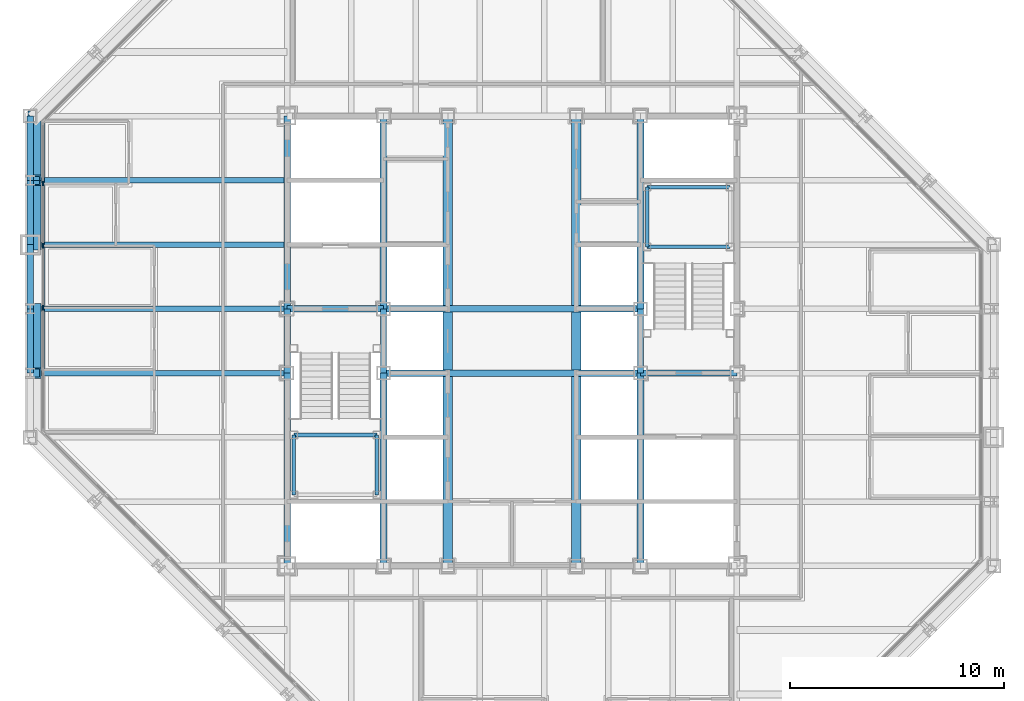
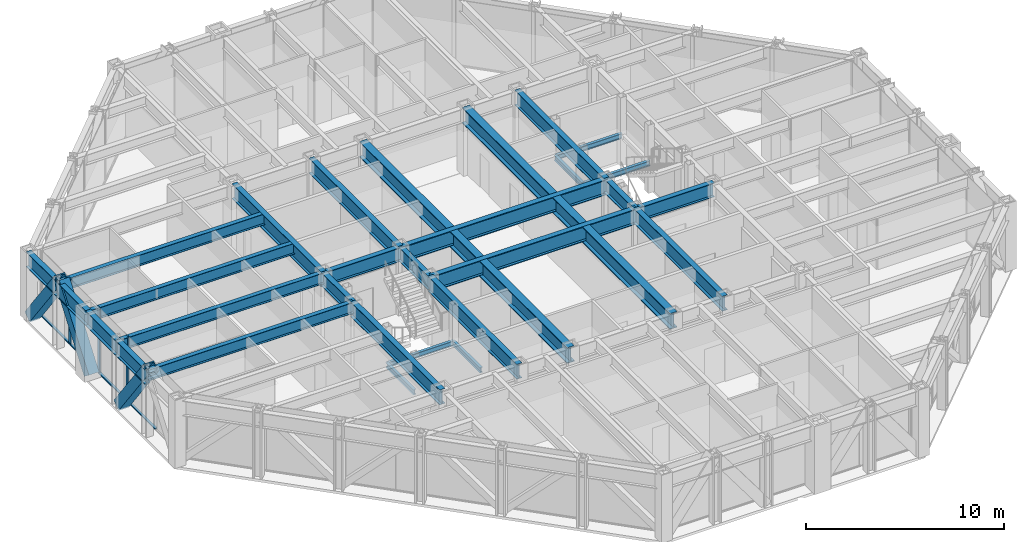
# One storey, part 5 of 15: 33 beams, 10 members, 1 element without a shape of its own.
"""IFC4 building model written with IfcOpenShell, lengths in metres."""

from ifc_helpers import new_model, si_unit, direction, frame, origin, origin_2d, place, context, subcontext, project, spatial, rectangle, hollow_rectangle, i_section, extrude, material, layer, layer_set, material_profile, profile_set, type_object, element, aggregate, save


model = new_model("IFC4")

# Units and contexts
model_context = context("Model", 3, precision=1e-05, world=origin(), true_north=direction((0.0, 1.0)))
body_context = subcontext(model_context, "Body", "Model", "MODEL_VIEW")
ifc_project = project(units=[si_unit("LENGTHUNIT", "METRE"), si_unit("AREAUNIT", "SQUARE_METRE"), si_unit("VOLUMEUNIT", "CUBIC_METRE"), si_unit("PLANEANGLEUNIT", "RADIAN"), si_unit("MASSUNIT", "GRAM", prefix="KILO")], contexts=[model_context])

# Site, building, storey
site_placement = place(None, origin())
site = spatial("IfcSite", under=ifc_project, at=site_placement, CompositionType="ELEMENT")
building_placement = place(site_placement, origin())
building = spatial("IfcBuilding", under=site, at=building_placement, Name="Chuquiago Exchange Tower", CompositionType="ELEMENT")
storey_placement = place(building_placement, frame((0.0, 0.0, 197.10009765625)))
storey = spatial("IfcBuildingStorey", under=building, at=storey_placement, Name="L43", CompositionType="ELEMENT", Elevation=197.10009765625)

# Beams
ifc_material_1 = material(Name="Steel ASTM A992", Category="steel")
ifc_material_profile_1 = material_profile(ifc_material_1, i_section(OverallWidth=0.25390625, OverallDepth=0.683349609375, WebThickness=0.012451171875, FlangeThickness=0.018798828125, at=origin_2d()), Name="W27X94")
ifc_profile_set_1 = profile_set([ifc_material_profile_1], Name="Steel ASTM A992")
beam_type_1 = type_object("IfcBeamType", Name="B1 W27X94", PredefinedType="BEAM", material=ifc_profile_set_1)
for number, where, z_axis, x_axis, name in (
    (1, (12.0, 21.0, 3.6982421875), (-1.0, 0.0, 0.0), (0.0, -1.0, 0.0), "FB-L44-infill-12_21--0_21-0"),
    (2, (12.0, 24.0, 3.6982421875), (-1.0, 0.0, 0.0), (0.0, -1.0, 0.0), "FB-L44-infill-12_24--0_24-0"),
    (3, (12.0, 27.0, 3.6982421875), (-1.0, 0.0, 0.0), (0.0, -1.0, 0.0), "FB-L44-infill-12_27--0_27-0"),
    (4, (12.0, 30.0, 3.6982421875), (-1.0, 0.0, 0.0), (0.0, -1.0, 0.0), "FB-L44-infill-12_30--0_30-0"),
):
    element("IfcBeam", number, at=place(storey_placement, frame(where, z_axis=z_axis, x_axis=x_axis)), inside=storey, type_object=beam_type_1, Name=name, PredefinedType="BEAM", context=body_context, shape_type="SweptSolid", body=[
        extrude(i_section(OverallWidth=0.25390625, OverallDepth=0.683349609375, WebThickness=0.012451171875, FlangeThickness=0.018798828125, at=origin_2d()), origin(), (0.0, 0.0, 1.0), 12.0),
    ])
ifc_material_2 = material(Name="Steel ASTM A992", Category="steel")
ifc_material_profile_2 = material_profile(ifc_material_2, i_section(OverallWidth=0.307373046875, OverallDepth=0.927001953125, WebThickness=0.01953125, FlangeThickness=0.031982421875, at=origin_2d()), Name="W36X194")
ifc_profile_set_2 = profile_set([ifc_material_profile_2], Name="Steel ASTM A992")
beam_type_2 = type_object("IfcBeamType", Name="B10 W36X194", PredefinedType="BEAM", material=ifc_profile_set_2)
for number, where, z_axis, x_axis, name in (
    (5, (12.0, 12.0, 3.576416015625), (0.0, 1.0, 0.0), (-1.0, 0.0, 0.0), "CB-L44-12_12-12_21"),
    (6, (12.0, 24.0, 3.576416015625), (0.0, 1.0, 0.0), (-1.0, 0.0, 0.0), "CB-L44-12_24-12_33"),
    (7, (16.5, 12.0, 3.576416015625), (0.0, 1.0, 0.0), (-1.0, 0.0, 0.0), "CB-L44-16.5_12-16.5_21"),
    (8, (16.5, 24.0, 3.576416015625), (0.0, 1.0, 0.0), (-1.0, 0.0, 0.0), "CB-L44-16.5_24-16.5_33"),
    (9, (28.5, 12.0, 3.576416015625), (0.0, 1.0, 0.0), (-1.0, 0.0, 0.0), "CB-L44-28.5_12-28.5_21"),
    (10, (28.5, 24.0, 3.576416015625), (0.0, 1.0, 0.0), (-1.0, 0.0, 0.0), "CB-L44-28.5_24-28.5_33"),
):
    element("IfcBeam", number, at=place(storey_placement, frame(where, z_axis=z_axis, x_axis=x_axis)), inside=storey, type_object=beam_type_2, Name=name, PredefinedType="BEAM", context=body_context, shape_type="SweptSolid", body=[
        extrude(i_section(OverallWidth=0.307373046875, OverallDepth=0.927001953125, WebThickness=0.01953125, FlangeThickness=0.031982421875, at=origin_2d()), origin(), (0.0, 0.0, 1.0), 9.0),
    ])
ifc_material_3 = material(Name="Steel ASTM A992", Category="steel")
ifc_material_profile_3 = material_profile(ifc_material_3, i_section(OverallWidth=0.309814453125, OverallDepth=0.949951171875, WebThickness=0.0244140625, FlangeThickness=0.0439453125, at=origin_2d()), Name="W36X256")
ifc_profile_set_3 = profile_set([ifc_material_profile_3], Name="Steel ASTM A992")
beam_type_3 = type_object("IfcBeamType", Name="B11 W36X256", PredefinedType="BEAM", material=ifc_profile_set_3)
for number, where, z_axis, x_axis, name in (
    (11, (16.5, 21.0, 3.56494140625), (1.0, 0.0, 0.0), (0.0, 1.0, 0.0), "CB-L44-16.5_21-28.5_21"),
    (12, (16.5, 24.0, 3.56494140625), (1.0, 0.0, 0.0), (0.0, 1.0, 0.0), "CB-L44-16.5_24-28.5_24"),
):
    element("IfcBeam", number, at=place(storey_placement, frame(where, z_axis=z_axis, x_axis=x_axis)), inside=storey, type_object=beam_type_3, Name=name, PredefinedType="BEAM", context=body_context, shape_type="SweptSolid", body=[
        extrude(i_section(OverallWidth=0.309814453125, OverallDepth=0.949951171875, WebThickness=0.0244140625, FlangeThickness=0.0439453125, at=origin_2d()), origin(), (0.0, 0.0, 1.0), 12.0),
    ])
ifc_material_4 = material(Name="Steel ASTM A992", Category="steel")
ifc_material_profile_4 = material_profile(ifc_material_4, i_section(OverallWidth=0.4267578125, OverallDepth=0.975341796875, WebThickness=0.031005859375, FlangeThickness=0.055908203125, at=origin_2d()), Name="W36X395")
ifc_profile_set_4 = profile_set([ifc_material_profile_4], Name="Steel ASTM A992")
beam_type_4 = type_object("IfcBeamType", Name="B12 W36X395", PredefinedType="BEAM", material=ifc_profile_set_4)
beam_1_placement = place(storey_placement, frame((19.5, 12.0, 3.55224609375), z_axis=(0.0, 1.0, 0.0), x_axis=(-1.0, 0.0, 0.0)))
element("IfcBeam", 13, at=beam_1_placement, inside=storey, type_object=beam_type_4, Name="CB-L44-19.5_12-19.5_20.8451", PredefinedType="BEAM", context=body_context, shape_type="SweptSolid", body=[
    extrude(i_section(OverallWidth=0.4267578125, OverallDepth=0.975341796875, WebThickness=0.031005859375, FlangeThickness=0.055908203125, at=origin_2d()), origin(), (0.0, 0.0, 1.0), 8.84521484375),
])
beam_2_placement = place(storey_placement, frame((19.5, 21.15478515625, 3.55224609375), z_axis=(0.0, 1.0, 0.0), x_axis=(-1.0, 0.0, 0.0)))
element("IfcBeam", 14, at=beam_2_placement, inside=storey, type_object=beam_type_4, Name="CB-L44-19.5_21.1549-19.5_23.8451", PredefinedType="BEAM", context=body_context, shape_type="SweptSolid", body=[
    extrude(i_section(OverallWidth=0.4267578125, OverallDepth=0.975341796875, WebThickness=0.031005859375, FlangeThickness=0.055908203125, at=origin_2d()), origin(), (0.0, 0.0, 1.0), 2.6904296875),
])
for number, where, z_axis, x_axis, name in (
    (15, (19.5, 24.15478515625, 3.55224609375), (0.0, 1.0, 0.0), (-1.0, 0.0, 0.0), "CB-L44-19.5_24.1549-19.5_33"),
    (16, (25.5, 12.0, 3.55224609375), (0.0, 1.0, 0.0), (-1.0, 0.0, 0.0), "CB-L44-25.5_12-25.5_20.8451"),
):
    element("IfcBeam", number, at=place(storey_placement, frame(where, z_axis=z_axis, x_axis=x_axis)), inside=storey, type_object=beam_type_4, Name=name, PredefinedType="BEAM", context=body_context, shape_type="SweptSolid", body=[
        extrude(i_section(OverallWidth=0.4267578125, OverallDepth=0.975341796875, WebThickness=0.031005859375, FlangeThickness=0.055908203125, at=origin_2d()), origin(), (0.0, 0.0, 1.0), 8.84521484375),
    ])
beam_3_placement = place(storey_placement, frame((25.5, 21.15478515625, 3.55224609375), z_axis=(0.0, 1.0, 0.0), x_axis=(-1.0, 0.0, 0.0)))
element("IfcBeam", 17, at=beam_3_placement, inside=storey, type_object=beam_type_4, Name="CB-L44-25.5_21.1549-25.5_23.8451", PredefinedType="BEAM", context=body_context, shape_type="SweptSolid", body=[
    extrude(i_section(OverallWidth=0.4267578125, OverallDepth=0.975341796875, WebThickness=0.031005859375, FlangeThickness=0.055908203125, at=origin_2d()), origin(), (0.0, 0.0, 1.0), 2.6904296875),
])
beam_4_placement = place(storey_placement, frame((25.5, 24.15478515625, 3.55224609375), z_axis=(0.0, 1.0, 0.0), x_axis=(-1.0, 0.0, 0.0)))
element("IfcBeam", 18, at=beam_4_placement, inside=storey, type_object=beam_type_4, Name="CB-L44-25.5_24.1549-25.5_33", PredefinedType="BEAM", context=body_context, shape_type="SweptSolid", body=[
    extrude(i_section(OverallWidth=0.4267578125, OverallDepth=0.975341796875, WebThickness=0.031005859375, FlangeThickness=0.055908203125, at=origin_2d()), origin(), (0.0, 0.0, 1.0), 8.84521484375),
])
ifc_material_5 = material(Name="Steel ASTM A992", Category="steel")
ifc_material_profile_5 = material_profile(ifc_material_5, i_section(OverallWidth=0.2919921875, OverallDepth=0.8583984375, WebThickness=0.01708984375, FlangeThickness=0.031005859375, at=origin_2d()), Name="W33X169")
ifc_profile_set_5 = profile_set([ifc_material_profile_5], Name="Steel ASTM A992")
beam_type_5 = type_object("IfcBeamType", Name="B3 W33X169", PredefinedType="BEAM", material=ifc_profile_set_5)
for number, where, z_axis, x_axis, name in (
    (19, (12.0, 21.0, 3.610595703125), (0.0, 1.0, 0.0), (-1.0, 0.0, 0.0), "CB-L44-12_21-12_24"),
    (20, (16.5, 21.0, 3.610595703125), (0.0, 1.0, 0.0), (-1.0, 0.0, 0.0), "CB-L44-16.5_21-16.5_24"),
    (21, (28.5, 21.0, 3.610595703125), (0.0, 1.0, 0.0), (-1.0, 0.0, 0.0), "CB-L44-28.5_21-28.5_24"),
):
    element("IfcBeam", number, at=place(storey_placement, frame(where, z_axis=z_axis, x_axis=x_axis)), inside=storey, type_object=beam_type_5, Name=name, PredefinedType="BEAM", context=body_context, shape_type="SweptSolid", body=[
        extrude(i_section(OverallWidth=0.2919921875, OverallDepth=0.8583984375, WebThickness=0.01708984375, FlangeThickness=0.031005859375, at=origin_2d()), origin(), (0.0, 0.0, 1.0), 3.0),
    ])
for number, where, z_axis, x_axis, name in (
    (22, (28.5, 21.0, 3.610595703125), (1.0, 0.0, 0.0), (0.0, 1.0, 0.0), "CB-L44-28.5_21-33_21"),
    (23, (12.0, 24.0, 3.610595703125), (1.0, 0.0, 0.0), (0.0, 1.0, 0.0), "CB-L44-12_24-16.5_24"),
):
    element("IfcBeam", number, at=place(storey_placement, frame(where, z_axis=z_axis, x_axis=x_axis)), inside=storey, type_object=beam_type_5, Name=name, PredefinedType="BEAM", context=body_context, shape_type="SweptSolid", body=[
        extrude(i_section(OverallWidth=0.2919921875, OverallDepth=0.8583984375, WebThickness=0.01708984375, FlangeThickness=0.031005859375, at=origin_2d()), origin(), (0.0, 0.0, 1.0), 4.5),
    ])

# Curtain wall, members
ifc_material_6 = material(Name="Aluminium curtain wall system", Category="aluminium")
ifc_layer = layer(ifc_material_6, 0.22509765625)
ifc_layer_set = layer_set([ifc_layer], Name="CW2 office curtain wall")
curtain_wall_type = type_object("IfcCurtainWallType", Name="CW2 office curtain wall", PredefinedType="NOTDEFINED", material=ifc_layer_set)
curtain_wall_placement = place(storey_placement, origin())
curtain_wall = element("IfcCurtainWall", 24, at=curtain_wall_placement, inside=storey, type_object=curtain_wall_type, Name="CW2 curtain wall L43", PredefinedType="NOTDEFINED")
ifc_material_7 = material(Name="Aluminium mullion, pale anodised", Category="aluminium")
ifc_material_profile_6 = material_profile(ifc_material_7, rectangle(XDim=0.06494140625, YDim=0.22509765625, at=origin_2d()), Name="AL 65x225")
ifc_profile_set_6 = profile_set([ifc_material_profile_6], Name="Aluminium mullion, pale anodised")
member_type_1 = type_object("IfcMemberType", Name="CW2-M mullion 65x225", PredefinedType="MULLION", material=ifc_profile_set_6)
member_1_placement = place(storey_placement, frame((0.60009765625, 29.850830078125, 0.0), z_axis=(0.0, 0.0, 1.0), x_axis=(1.0, 0.0, 0.0)))
member_1 = element("IfcMember", 25, at=member_1_placement, type_object=member_type_1, Name="CW2 mullion 2", PredefinedType="MULLION", context=body_context, shape_type="SweptSolid", body=[
    extrude(rectangle(XDim=0.06494140625, YDim=0.22509765625, at=origin_2d()), origin(), (0.0, 0.0, 1.0), 4.039794921875),
])
member_2_placement = place(storey_placement, frame((0.60009765625, 26.9501953125, 0.0), z_axis=(0.0, 0.0, 1.0), x_axis=(1.0, 0.0, 0.0)))
member_2 = element("IfcMember", 26, at=member_2_placement, type_object=member_type_1, Name="CW2 mullion 3", PredefinedType="MULLION", context=body_context, shape_type="SweptSolid", body=[
    extrude(rectangle(XDim=0.06494140625, YDim=0.22509765625, at=origin_2d()), origin(), (0.0, 0.0, 1.0), 4.039794921875),
])
member_3_placement = place(storey_placement, frame((0.60009765625, 24.0498046875, 0.0), z_axis=(0.0, 0.0, 1.0), x_axis=(1.0, 0.0, 0.0)))
member_3 = element("IfcMember", 27, at=member_3_placement, type_object=member_type_1, Name="CW2 mullion 4", PredefinedType="MULLION", context=body_context, shape_type="SweptSolid", body=[
    extrude(rectangle(XDim=0.06494140625, YDim=0.22509765625, at=origin_2d()), origin(), (0.0, 0.0, 1.0), 4.039794921875),
])
ifc_material_8 = material(Name="Aluminium transom, pale anodised", Category="aluminium")
ifc_material_profile_7 = material_profile(ifc_material_8, rectangle(XDim=0.139892578125, YDim=0.06494140625, at=origin_2d()), Name="AL 140x65")
ifc_profile_set_7 = profile_set([ifc_material_profile_7], Name="Aluminium transom, pale anodised")
member_type_2 = type_object("IfcMemberType", Name="CW2-T transom 65x140", PredefinedType="MULLION", material=ifc_profile_set_7)
member_4_placement = place(storey_placement, frame((0.60009765625, 32.6865234375, 0.032470703125), z_axis=(0.0, -1.0, 0.0), x_axis=(1.0, 0.0, 0.0)))
member_4 = element("IfcMember", 28, at=member_4_placement, type_object=member_type_2, Name="CW2 transom 1.1", PredefinedType="MULLION", context=body_context, shape_type="SweptSolid", body=[
    extrude(rectangle(XDim=0.139892578125, YDim=0.06494140625, at=origin_2d()), origin(), (0.0, 0.0, 1.0), 2.80322265625),
])
member_5_placement = place(storey_placement, frame((0.60009765625, 29.818359375, 0.032470703125), z_axis=(0.0, -1.0, 0.0), x_axis=(1.0, 0.0, 0.0)))
member_5 = element("IfcMember", 29, at=member_5_placement, type_object=member_type_2, Name="CW2 transom 2.1", PredefinedType="MULLION", context=body_context, shape_type="SweptSolid", body=[
    extrude(rectangle(XDim=0.139892578125, YDim=0.06494140625, at=origin_2d()), origin(), (0.0, 0.0, 1.0), 2.83544921875),
])
member_6_placement = place(storey_placement, frame((0.60009765625, 26.917724609375, 0.032470703125), z_axis=(0.0, -1.0, 0.0), x_axis=(1.0, 0.0, 0.0)))
member_6 = element("IfcMember", 30, at=member_6_placement, type_object=member_type_2, Name="CW2 transom 3.1", PredefinedType="MULLION", context=body_context, shape_type="SweptSolid", body=[
    extrude(rectangle(XDim=0.139892578125, YDim=0.06494140625, at=origin_2d()), origin(), (0.0, 0.0, 1.0), 2.83544921875),
])
member_7_placement = place(storey_placement, frame((0.60009765625, 24.01708984375, 0.032470703125), z_axis=(0.0, -1.0, 0.0), x_axis=(1.0, 0.0, 0.0)))
member_7 = element("IfcMember", 31, at=member_7_placement, type_object=member_type_2, Name="CW2 transom 4.1", PredefinedType="MULLION", context=body_context, shape_type="SweptSolid", body=[
    extrude(rectangle(XDim=0.139892578125, YDim=0.06494140625, at=origin_2d()), origin(), (0.0, 0.0, 1.0), 2.83544921875),
])
aggregate(curtain_wall, [member_1, member_2, member_3, member_4, member_5, member_6, member_7])

# Beams
ifc_material_9 = material(Name="Steel ASTM A992", Category="steel")
ifc_material_profile_8 = material_profile(ifc_material_9, i_section(OverallWidth=0.164794921875, OverallDepth=0.309814453125, WebThickness=0.005859375, FlangeThickness=0.009765625, at=origin_2d()), Name="W12X26")
ifc_profile_set_8 = profile_set([ifc_material_profile_8], Name="Steel ASTM A992")
beam_type_6 = type_object("IfcBeamType", Name="LS1 W12X26", PredefinedType="BEAM", material=ifc_profile_set_8)
for number, where, z_axis, x_axis, name in (
    (32, (12.31005859375, 15.31005859375, 1.7451171875), (0.0, 1.0, 0.0), (-1.0, 0.0, 0.0), "Stair ST1 L43 landing 1 stringer"),
    (33, (16.18994140625, 15.31005859375, 1.7451171875), (0.0, 1.0, 0.0), (-1.0, 0.0, 0.0), "Stair ST1 L43 landing 1 stringer"),
    (34, (28.81005859375, 26.889892578125, 1.7451171875), (0.0, 1.0, 0.0), (-1.0, 0.0, 0.0), "Stair ST2 L43 landing 1 stringer"),
):
    element("IfcBeam", number, at=place(storey_placement, frame(where, z_axis=z_axis, x_axis=x_axis)), inside=storey, type_object=beam_type_6, Name=name, PredefinedType="BEAM", context=body_context, shape_type="SweptSolid", body=[
        extrude(i_section(OverallWidth=0.164794921875, OverallDepth=0.309814453125, WebThickness=0.005859375, FlangeThickness=0.009765625, at=origin_2d()), origin(), (0.0, 0.0, 1.0), 2.800048828125),
    ])
ifc_material_10 = material(Name="Steel ASTM A992", Category="steel")
ifc_material_profile_9 = material_profile(ifc_material_10, i_section(OverallWidth=0.164794921875, OverallDepth=0.309814453125, WebThickness=0.005859375, FlangeThickness=0.009765625, at=origin_2d()), Name="W12X26")
ifc_profile_set_9 = profile_set([ifc_material_profile_9], Name="Steel ASTM A992")
beam_type_7 = type_object("IfcBeamType", Name="LT1 W12X26", PredefinedType="BEAM", material=ifc_profile_set_9)
for number, where, z_axis, x_axis, name in (
    (35, (12.31005859375, 18.110107421875, 1.7451171875), (1.0, 0.0, 0.0), (0.0, 1.0, 0.0), "Stair ST1 L43 landing 1 trimmer"),
    (36, (28.81005859375, 29.68994140625, 1.7451171875), (1.0, 0.0, 0.0), (0.0, 1.0, 0.0), "Stair ST2 L43 landing 1 trimmer"),
    (37, (28.81005859375, 26.889892578125, 1.7451171875), (1.0, 0.0, 0.0), (0.0, 1.0, 0.0), "Stair ST2 L43 landing 1 trimmer"),
):
    element("IfcBeam", number, at=place(storey_placement, frame(where, z_axis=z_axis, x_axis=x_axis)), inside=storey, type_object=beam_type_7, Name=name, PredefinedType="BEAM", context=body_context, shape_type="SweptSolid", body=[
        extrude(i_section(OverallWidth=0.164794921875, OverallDepth=0.309814453125, WebThickness=0.005859375, FlangeThickness=0.009765625, at=origin_2d()), origin(), (0.0, 0.0, 1.0), 3.8798828125),
    ])

# Members
ifc_material_11 = material(Name="Steel ASTM A572 Grade 50", Category="steel")
ifc_material_profile_10 = material_profile(ifc_material_11, hollow_rectangle(XDim=0.60009765625, YDim=0.60009765625, WallThickness=0.06005859375, at=origin_2d()), Name="BOX600X600X60")
ifc_profile_set_10 = profile_set([ifc_material_profile_10], Name="Steel ASTM A572 Grade 50")
member_type_3 = type_object("IfcMemberType", Name="MB3 BOX600X600X60", PredefinedType="BRACE", material=ifc_profile_set_10)
for number, where, z_axis, x_axis, name in (
    (38, (0.205078125, 33.0, 0.0), (0.0, -0.596197146086, 0.802838067732), (1.0, 0.0, 0.0), "Mega diagonal L43 W face"),
    (39, (0.205078125, 27.0, 0.0), (0.0, 0.596197146086, 0.802838067732), (-1.0, 0.0, 0.0), "Mega diagonal L43 W face"),
    (40, (0.205078125, 24.0, 0.0), (0.0, -0.596197146086, 0.802838067732), (1.0, 0.0, 0.0), "Mega diagonal L43 W face"),
):
    element("IfcMember", number, at=place(storey_placement, frame(where, z_axis=z_axis, x_axis=x_axis)), inside=storey, type_object=member_type_3, Name=name, PredefinedType="BRACE", context=body_context, shape_type="SweptSolid", body=[
        extrude(hollow_rectangle(XDim=0.60009765625, YDim=0.60009765625, WallThickness=0.06005859375, at=origin_2d()), origin(), (0.0, 0.0, 1.0), 5.031982421875),
    ])

# Beams
ifc_material_12 = material(Name="Steel ASTM A992", Category="steel")
ifc_material_profile_11 = material_profile(ifc_material_12, i_section(OverallWidth=0.307373046875, OverallDepth=0.927001953125, WebThickness=0.01953125, FlangeThickness=0.031982421875, at=origin_2d()), Name="W36X194")
ifc_profile_set_11 = profile_set([ifc_material_profile_11], Name="Steel ASTM A992")
beam_type_8 = type_object("IfcBeamType", Name="SP3 W36X194", PredefinedType="SPANDREL", material=ifc_profile_set_11)
for number, where, z_axis, x_axis, name in (
    (41, (0.0, 33.0, 3.576416015625), (0.0, -1.0, 0.0), (1.0, 0.0, 0.0), "SPB-L44-0_33-0_30"),
    (42, (0.0, 30.0, 3.576416015625), (0.0, -1.0, 0.0), (1.0, 0.0, 0.0), "SPB-L44-0_30-0_27"),
    (43, (0.0, 27.0, 3.576416015625), (0.0, -1.0, 0.0), (1.0, 0.0, 0.0), "SPB-L44-0_27-0_24"),
    (44, (0.0, 24.0, 3.576416015625), (0.0, -1.0, 0.0), (1.0, 0.0, 0.0), "SPB-L44-0_24-0_21"),
):
    element("IfcBeam", number, at=place(storey_placement, frame(where, z_axis=z_axis, x_axis=x_axis)), inside=storey, type_object=beam_type_8, Name=name, PredefinedType="SPANDREL", context=body_context, shape_type="SweptSolid", body=[
        extrude(i_section(OverallWidth=0.307373046875, OverallDepth=0.927001953125, WebThickness=0.01953125, FlangeThickness=0.031982421875, at=origin_2d()), origin(), (0.0, 0.0, 1.0), 3.0),
    ])

save(model, "model.ifc")
